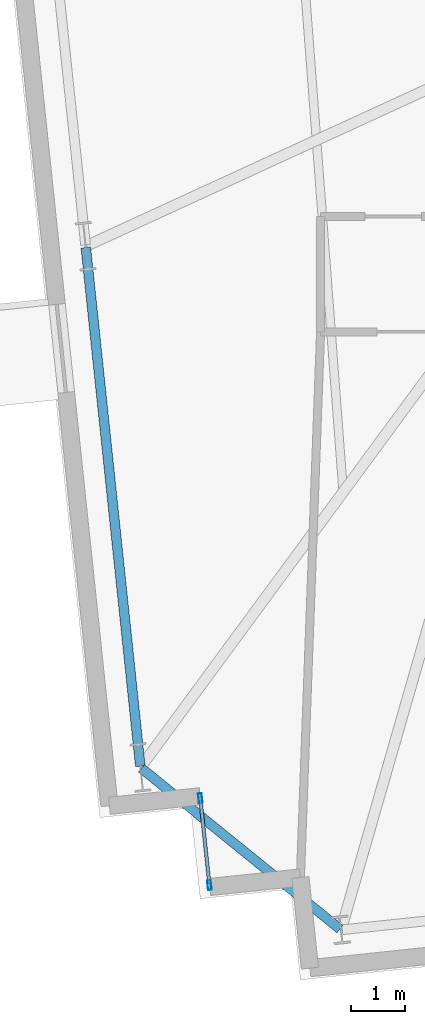
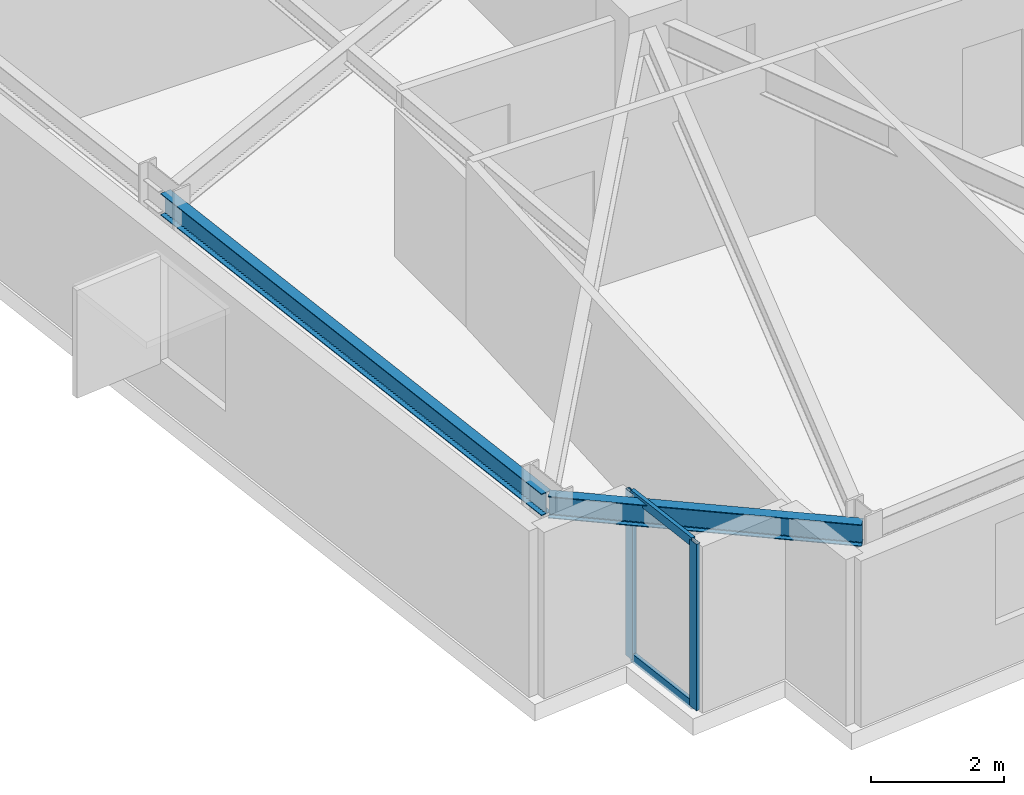
# One storey, part 4 of 18: 4 members, 2 beams, 1 element without a shape of its own.
"""IFC4 building model written with IfcOpenShell, lengths in metres."""

from ifc_helpers import new_model, si_unit, direction, frame, origin, origin_2d, place, context, subcontext, project, spatial, hollow_rectangle, i_section, extrude, material, layer, layer_set, material_profile, profile_set, type_object, element, aggregate, save


model = new_model("IFC4")

# Units and contexts
model_context = context("Model", 3, precision=1e-05, world=origin(), true_north=direction((0.0, 1.0)))
body_context = subcontext(model_context, "Body", "Model", "MODEL_VIEW")
ifc_project = project(units=[si_unit("LENGTHUNIT", "METRE"), si_unit("AREAUNIT", "SQUARE_METRE"), si_unit("VOLUMEUNIT", "CUBIC_METRE"), si_unit("PLANEANGLEUNIT", "RADIAN"), si_unit("MASSUNIT", "GRAM", prefix="KILO")], contexts=[model_context])

# Site, building, storey
site_placement = place(None, origin())
site = spatial("IfcSite", under=ifc_project, at=site_placement, CompositionType="ELEMENT")
building_placement = place(site_placement, origin())
building = spatial("IfcBuilding", under=site, at=building_placement, Name="Qobustan Lattice House", CompositionType="ELEMENT")
storey_placement = place(building_placement, frame((0.0, 0.0, 109.14990234375)))
storey = spatial("IfcBuildingStorey", under=building, at=storey_placement, Name="L30", CompositionType="ELEMENT", Elevation=109.14990234375)

# Beams
ifc_material_1 = material(Name="Steel S355", Category="steel")
ifc_material_profile_1 = material_profile(ifc_material_1, i_section(OverallWidth=0.179931640625, OverallDepth=0.39990234375, WebThickness=0.008544921875, FlangeThickness=0.013427734375, FilletRadius=0.02099609375, at=origin_2d()), Name="IPE400")
ifc_profile_set_1 = profile_set([ifc_material_profile_1], Name="Steel S355")
beam_type = type_object("IfcBeamType", Name="BM-SPD-IPE400", PredefinedType="SPANDREL", material=ifc_profile_set_1)
beam_1_placement = place(storey_placement, frame((-27.37451171875, -6.180908203125, 2.84521484375), z_axis=(0.104527826257, -0.994521962321, 0.0), x_axis=(0.994521962321, 0.104527826257, 0.0)))
element("IfcBeam", 1, at=beam_1_placement, inside=storey, type_object=beam_type, Name="L30 perimeter spandrel W3-W4", PredefinedType="SPANDREL", context=body_context, shape_type="SweptSolid", body=[
    extrude(i_section(OverallWidth=0.179931640625, OverallDepth=0.39990234375, WebThickness=0.008544921875, FlangeThickness=0.013427734375, FilletRadius=0.02099609375, at=origin_2d()), origin(), (0.0, 0.0, 1.0), 9.71630859375),
])
beam_2_placement = place(storey_placement, frame((-26.3369140625, -15.884765625, 2.84521484375), z_axis=(0.777140911545, -0.629326627121, 0.0), x_axis=(0.629326627121, 0.777140911545, 0.0)))
element("IfcBeam", 2, at=beam_2_placement, inside=storey, type_object=beam_type, Name="L30 perimeter spandrel W4-S1", PredefinedType="SPANDREL", context=body_context, shape_type="SweptSolid", body=[
    extrude(i_section(OverallWidth=0.179931640625, OverallDepth=0.39990234375, WebThickness=0.008544921875, FlangeThickness=0.013427734375, FilletRadius=0.02099609375, at=origin_2d()), origin(), (0.0, 0.0, 1.0), 4.758544921875),
])

# Curtain wall, members
ifc_material_2 = material(Name="Anodised aluminium and low-E glazing", Category="aluminium")
ifc_layer = layer(ifc_material_2, 0.219970703125)
ifc_layer_set = layer_set([ifc_layer], Name="Anodised aluminium and low-E glazing")
curtain_wall_type = type_object("IfcCurtainWallType", Name="CW-FAC-01", PredefinedType="USERDEFINED", material=ifc_layer_set)
curtain_wall_placement = place(storey_placement, origin())
curtain_wall = element("IfcCurtainWall", 3, at=curtain_wall_placement, inside=storey, type_object=curtain_wall_type, Name="L30 serrated corner faceted glazing 3", ObjectType="CURTAIN WALL", PredefinedType="USERDEFINED")
ifc_material_3 = material(Name="Anodised aluminium EN AW-6063 T6", Category="aluminium")
ifc_material_profile_2 = material_profile(ifc_material_3, hollow_rectangle(XDim=0.070068359375, YDim=0.179931640625, WallThickness=0.00439453125, at=origin_2d()), Name="CWM-180x70")
ifc_profile_set_2 = profile_set([ifc_material_profile_2], Name="Anodised aluminium EN AW-6063 T6")
member_type_1 = type_object("IfcMemberType", Name="CWM-STD-180", PredefinedType="MULLION", material=ifc_profile_set_2)
member_1_placement = place(storey_placement, frame((-25.070068359375, -18.0615234375, 0.0), z_axis=(0.0, 0.0, 1.0), x_axis=(-0.994521878892, -0.104528620025, 0.0)))
member_1 = element("IfcMember", 4, at=member_1_placement, type_object=member_type_1, Name="CW-F1 mullion 1", PredefinedType="MULLION", context=body_context, shape_type="SweptSolid", body=[
    extrude(hollow_rectangle(XDim=0.070068359375, YDim=0.179931640625, WallThickness=0.00439453125, at=origin_2d()), origin(), (0.0, 0.0, 1.0), 3.045166015625),
])
member_2_placement = place(storey_placement, frame((-25.240234375, -16.4404296875, 0.0), z_axis=(0.0, 0.0, 1.0), x_axis=(-0.994521878892, -0.104528620025, 0.0)))
member_2 = element("IfcMember", 5, at=member_2_placement, type_object=member_type_1, Name="CW-F1 mullion 2", PredefinedType="MULLION", context=body_context, shape_type="SweptSolid", body=[
    extrude(hollow_rectangle(XDim=0.070068359375, YDim=0.179931640625, WallThickness=0.00439453125, at=origin_2d()), origin(), (0.0, 0.0, 1.0), 3.045166015625),
])
ifc_material_4 = material(Name="Anodised aluminium EN AW-6063 T6", Category="aluminium")
ifc_material_profile_3 = material_profile(ifc_material_4, hollow_rectangle(XDim=0.06494140625, YDim=0.159912109375, WallThickness=0.00390625, at=origin_2d()), Name="CWT-160x65")
ifc_profile_set_3 = profile_set([ifc_material_profile_3], Name="Anodised aluminium EN AW-6063 T6")
member_type_2 = type_object("IfcMemberType", Name="CWT-HOR-160", PredefinedType="USERDEFINED", material=ifc_profile_set_3)
member_3_placement = place(storey_placement, frame((-25.07373046875, -18.02685546875, 0.03271484375), z_axis=(-0.104383362594, 0.994537135362, 0.0), x_axis=(-0.994537135362, -0.104383362594, 0.0)))
member_3 = element("IfcMember", 6, at=member_3_placement, type_object=member_type_2, Name="CW-F1 transom 1.1", ObjectType="TRANSOM", PredefinedType="USERDEFINED", context=body_context, shape_type="SweptSolid", body=[
    extrude(hollow_rectangle(XDim=0.06494140625, YDim=0.159912109375, WallThickness=0.00390625, at=origin_2d()), origin(), (0.0, 0.0, 1.0), 1.56005859375),
])
member_4_placement = place(storey_placement, frame((-25.07373046875, -18.02685546875, 3.0126953125), z_axis=(-0.104383362594, 0.994537135362, 0.0), x_axis=(-0.994537135362, -0.104383362594, 0.0)))
member_4 = element("IfcMember", 7, at=member_4_placement, type_object=member_type_2, Name="CW-F1 transom 1.2", ObjectType="TRANSOM", PredefinedType="USERDEFINED", context=body_context, shape_type="SweptSolid", body=[
    extrude(hollow_rectangle(XDim=0.06494140625, YDim=0.159912109375, WallThickness=0.00390625, at=origin_2d()), origin(), (0.0, 0.0, 1.0), 1.56005859375),
])
aggregate(curtain_wall, [member_1, member_2, member_3, member_4])

save(model, "model.ifc")
